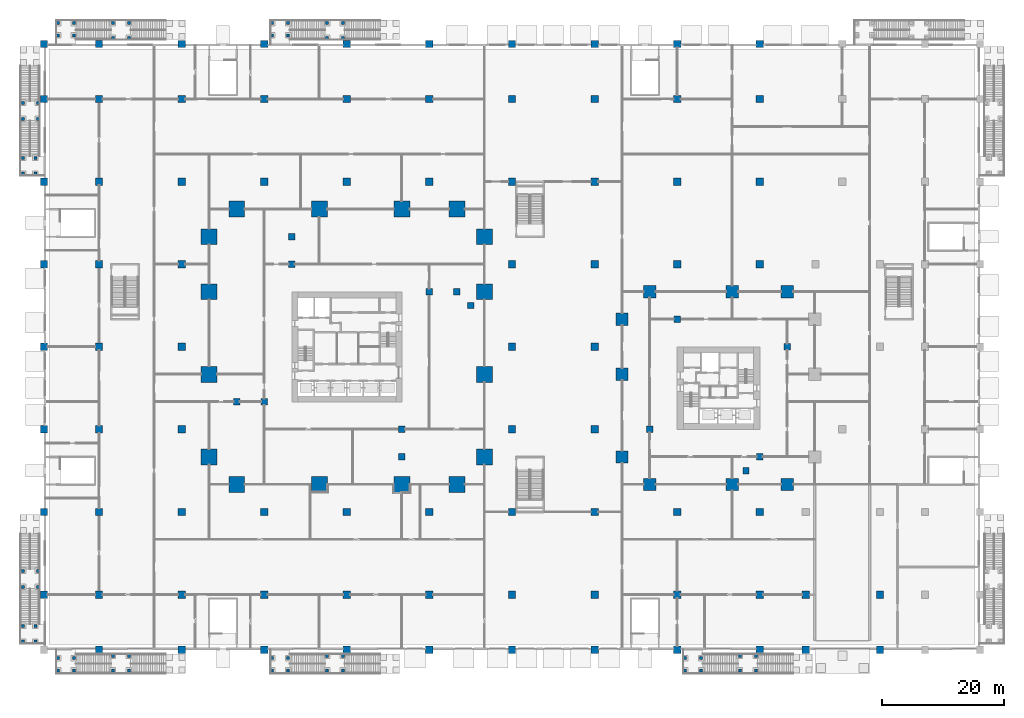
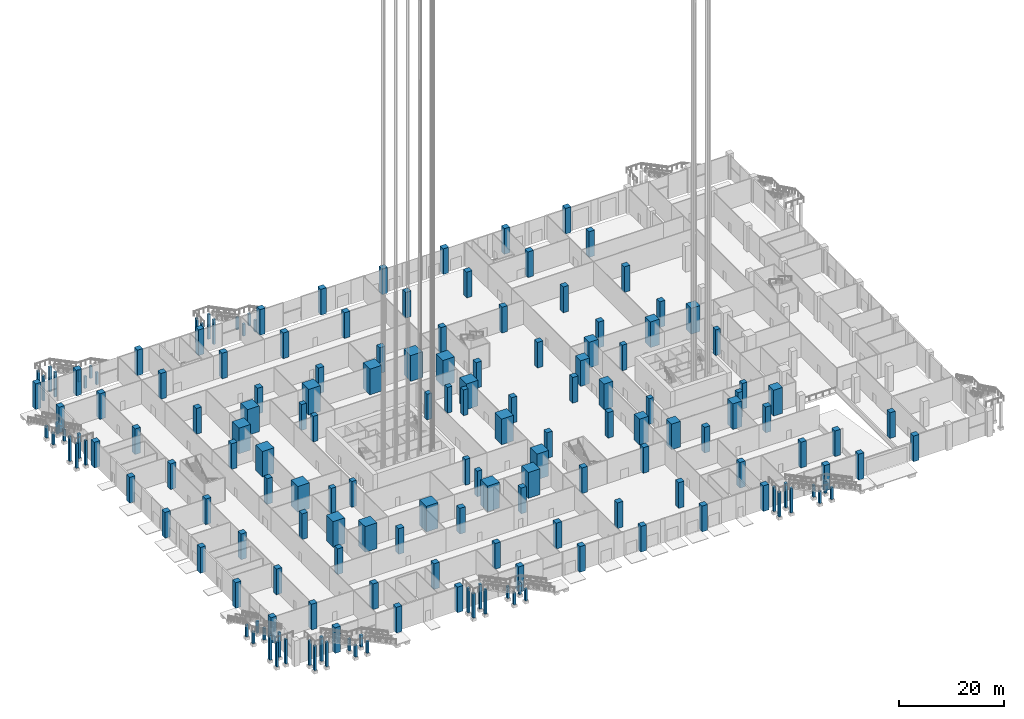
# One storey, part 3 of 68: 175 columns.
"""IFC4 building model written with IfcOpenShell, lengths in metres."""

from ifc_helpers import new_model, si_unit, direction, frame, origin, origin_2d, place, context, subcontext, project, spatial, rectangle, extrude, material, material_profile, profile_set, type_object, element, save


model = new_model("IFC4")

# Units and contexts
model_context = context("Model", 3, precision=1e-05, world=origin(), true_north=direction((0.0, 1.0)))
body_context = subcontext(model_context, "Body", "Model", "MODEL_VIEW")
ifc_project = project(units=[si_unit("LENGTHUNIT", "METRE"), si_unit("AREAUNIT", "SQUARE_METRE"), si_unit("VOLUMEUNIT", "CUBIC_METRE"), si_unit("PLANEANGLEUNIT", "RADIAN"), si_unit("MASSUNIT", "GRAM", prefix="KILO")], contexts=[model_context])

# Site, building, storey
site_placement = place(None, origin())
site = spatial("IfcSite", under=ifc_project, at=site_placement, CompositionType="ELEMENT")
building_placement = place(site_placement, origin())
building = spatial("IfcBuilding", under=site, at=building_placement, Name="Altepetl Exchange Towers", CompositionType="ELEMENT")
storey_placement = place(building_placement, origin())
storey = spatial("IfcBuildingStorey", under=building, at=storey_placement, Name="L00 Ground concourse", CompositionType="ELEMENT", Elevation=0.0)

# Columns
ifc_material_1 = material(Name="Concrete C35/45", Category="concrete")
ifc_material_profile_1 = material_profile(ifc_material_1, rectangle(XDim=0.5, YDim=0.5, at=origin_2d()), Name="500 x 500")
ifc_profile_set_1 = profile_set([ifc_material_profile_1], Name="Concrete C35/45")
column_type_1 = type_object("IfcColumnType", Name="Garden steps pier 500", PredefinedType="COLUMN", material=ifc_profile_set_1)
for number, where, name in (
    (1, (2.300048828125, -1.39990234375, 0.0), "col:P:L00:G1pier0"),
    (2, (2.300048828125, -3.39990234375, 0.0), "col:P:L00:G1pier1"),
    (3, (4.89990234375, -1.39990234375, 0.0), "col:P:L00:G1pier2"),
    (4, (4.89990234375, -3.39990234375, 0.0), "col:P:L00:G1pier3"),
):
    element("IfcColumn", number, at=place(storey_placement, frame(where)), inside=storey, type_object=column_type_1, Name=name, PredefinedType="COLUMN", context=body_context, shape_type="SweptSolid", body=[
        extrude(rectangle(XDim=0.5, YDim=0.5, at=origin_2d()), origin(), (0.0, 0.0, 1.0), 5.75),
    ])
for number, where, name in (
    (5, (11.260009765625, -1.0, 0.0), "col:P:L00:G1pier4"),
    (6, (11.260009765625, -3.39990234375, 0.0), "col:P:L00:G1pier5"),
    (7, (13.860107421875, -1.0, 0.0), "col:P:L00:G1pier6"),
    (8, (13.860107421875, -3.39990234375, 0.0), "col:P:L00:G1pier7"),
):
    element("IfcColumn", number, at=place(storey_placement, frame(where)), inside=storey, type_object=column_type_1, Name=name, PredefinedType="COLUMN", context=body_context, shape_type="SweptSolid", body=[
        extrude(rectangle(XDim=0.5, YDim=0.5, at=origin_2d()), origin(), (0.0, 0.0, 1.0), 2.75),
    ])
for number, where, name in (
    (9, (37.300048828125, -1.39990234375, 0.0), "col:P:L00:G2pier0"),
    (10, (37.300048828125, -3.39990234375, 0.0), "col:P:L00:G2pier1"),
    (11, (39.89990234375, -1.39990234375, 0.0), "col:P:L00:G2pier2"),
    (12, (39.89990234375, -3.39990234375, 0.0), "col:P:L00:G2pier3"),
):
    element("IfcColumn", number, at=place(storey_placement, frame(where)), inside=storey, type_object=column_type_1, Name=name, PredefinedType="COLUMN", context=body_context, shape_type="SweptSolid", body=[
        extrude(rectangle(XDim=0.5, YDim=0.5, at=origin_2d()), origin(), (0.0, 0.0, 1.0), 5.75),
    ])
for number, where, name in (
    (13, (46.260009765625, -1.0, 0.0), "col:P:L00:G2pier4"),
    (14, (46.260009765625, -3.39990234375, 0.0), "col:P:L00:G2pier5"),
    (15, (48.860107421875, -1.0, 0.0), "col:P:L00:G2pier6"),
    (16, (48.860107421875, -3.39990234375, 0.0), "col:P:L00:G2pier7"),
):
    element("IfcColumn", number, at=place(storey_placement, frame(where)), inside=storey, type_object=column_type_1, Name=name, PredefinedType="COLUMN", context=body_context, shape_type="SweptSolid", body=[
        extrude(rectangle(XDim=0.5, YDim=0.5, at=origin_2d()), origin(), (0.0, 0.0, 1.0), 2.75),
    ])
for number, where, name in (
    (17, (2.300048828125, 100.39990234375, 0.0), "col:P:L00:G3pier0"),
    (18, (2.300048828125, 102.39990234375, 0.0), "col:P:L00:G3pier1"),
    (19, (4.89990234375, 100.39990234375, 0.0), "col:P:L00:G3pier2"),
    (20, (4.89990234375, 102.39990234375, 0.0), "col:P:L00:G3pier3"),
):
    element("IfcColumn", number, at=place(storey_placement, frame(where)), inside=storey, type_object=column_type_1, Name=name, PredefinedType="COLUMN", context=body_context, shape_type="SweptSolid", body=[
        extrude(rectangle(XDim=0.5, YDim=0.5, at=origin_2d()), origin(), (0.0, 0.0, 1.0), 5.75),
    ])
for number, where, name in (
    (21, (11.260009765625, 100.0, 0.0), "col:P:L00:G3pier4"),
    (22, (11.260009765625, 102.39990234375, 0.0), "col:P:L00:G3pier5"),
    (23, (13.860107421875, 100.0, 0.0), "col:P:L00:G3pier6"),
    (24, (13.860107421875, 102.39990234375, 0.0), "col:P:L00:G3pier7"),
):
    element("IfcColumn", number, at=place(storey_placement, frame(where)), inside=storey, type_object=column_type_1, Name=name, PredefinedType="COLUMN", context=body_context, shape_type="SweptSolid", body=[
        extrude(rectangle(XDim=0.5, YDim=0.5, at=origin_2d()), origin(), (0.0, 0.0, 1.0), 2.75),
    ])
for number, where, name in (
    (25, (37.300048828125, 100.39990234375, 0.0), "col:P:L00:G4pier0"),
    (26, (37.300048828125, 102.39990234375, 0.0), "col:P:L00:G4pier1"),
    (27, (39.89990234375, 100.39990234375, 0.0), "col:P:L00:G4pier2"),
    (28, (39.89990234375, 102.39990234375, 0.0), "col:P:L00:G4pier3"),
):
    element("IfcColumn", number, at=place(storey_placement, frame(where)), inside=storey, type_object=column_type_1, Name=name, PredefinedType="COLUMN", context=body_context, shape_type="SweptSolid", body=[
        extrude(rectangle(XDim=0.5, YDim=0.5, at=origin_2d()), origin(), (0.0, 0.0, 1.0), 5.75),
    ])
for number, where, name in (
    (29, (46.260009765625, 100.0, 0.0), "col:P:L00:G4pier4"),
    (30, (46.260009765625, 102.39990234375, 0.0), "col:P:L00:G4pier5"),
    (31, (48.860107421875, 100.0, 0.0), "col:P:L00:G4pier6"),
    (32, (48.860107421875, 102.39990234375, 0.0), "col:P:L00:G4pier7"),
):
    element("IfcColumn", number, at=place(storey_placement, frame(where)), inside=storey, type_object=column_type_1, Name=name, PredefinedType="COLUMN", context=body_context, shape_type="SweptSolid", body=[
        extrude(rectangle(XDim=0.5, YDim=0.5, at=origin_2d()), origin(), (0.0, 0.0, 1.0), 2.75),
    ])
for number, where, name in (
    (33, (-1.39990234375, 77.800048828125, 0.0), "col:P:L00:G5pier0"),
    (34, (-3.39990234375, 77.800048828125, 0.0), "col:P:L00:G5pier1"),
    (35, (-1.39990234375, 80.39990234375, 0.0), "col:P:L00:G5pier2"),
    (36, (-3.39990234375, 80.39990234375, 0.0), "col:P:L00:G5pier3"),
):
    element("IfcColumn", number, at=place(storey_placement, frame(where)), inside=storey, type_object=column_type_1, Name=name, PredefinedType="COLUMN", context=body_context, shape_type="SweptSolid", body=[
        extrude(rectangle(XDim=0.5, YDim=0.5, at=origin_2d()), origin(), (0.0, 0.0, 1.0), 5.75),
    ])
for number, where, name in (
    (37, (-1.0, 86.760009765625, 0.0), "col:P:L00:G5pier4"),
    (38, (-3.39990234375, 86.760009765625, 0.0), "col:P:L00:G5pier5"),
    (39, (-1.0, 89.360107421875, 0.0), "col:P:L00:G5pier6"),
    (40, (-3.39990234375, 89.360107421875, 0.0), "col:P:L00:G5pier7"),
):
    element("IfcColumn", number, at=place(storey_placement, frame(where)), inside=storey, type_object=column_type_1, Name=name, PredefinedType="COLUMN", context=body_context, shape_type="SweptSolid", body=[
        extrude(rectangle(XDim=0.5, YDim=0.5, at=origin_2d()), origin(), (0.0, 0.0, 1.0), 2.75),
    ])
for number, where, name in (
    (41, (104.800048828125, -1.39990234375, 0.0), "col:P:L00:G7pier0"),
    (42, (104.800048828125, -3.39990234375, 0.0), "col:P:L00:G7pier1"),
    (43, (107.39990234375, -1.39990234375, 0.0), "col:P:L00:G7pier2"),
    (44, (107.39990234375, -3.39990234375, 0.0), "col:P:L00:G7pier3"),
):
    element("IfcColumn", number, at=place(storey_placement, frame(where)), inside=storey, type_object=column_type_1, Name=name, PredefinedType="COLUMN", context=body_context, shape_type="SweptSolid", body=[
        extrude(rectangle(XDim=0.5, YDim=0.5, at=origin_2d()), origin(), (0.0, 0.0, 1.0), 5.75),
    ])
for number, where, name in (
    (45, (113.760009765625, -1.0, 0.0), "col:P:L00:G7pier4"),
    (46, (113.760009765625, -3.39990234375, 0.0), "col:P:L00:G7pier5"),
    (47, (116.360107421875, -1.0, 0.0), "col:P:L00:G7pier6"),
    (48, (116.360107421875, -3.39990234375, 0.0), "col:P:L00:G7pier7"),
):
    element("IfcColumn", number, at=place(storey_placement, frame(where)), inside=storey, type_object=column_type_1, Name=name, PredefinedType="COLUMN", context=body_context, shape_type="SweptSolid", body=[
        extrude(rectangle(XDim=0.5, YDim=0.5, at=origin_2d()), origin(), (0.0, 0.0, 1.0), 2.75),
    ])
for number, where, name in (
    (49, (-1.39990234375, 1.300048828125, 0.0), "col:P:L00:G9pier0"),
    (50, (-3.39990234375, 1.300048828125, 0.0), "col:P:L00:G9pier1"),
    (51, (-1.39990234375, 3.89990234375, 0.0), "col:P:L00:G9pier2"),
    (52, (-3.39990234375, 3.89990234375, 0.0), "col:P:L00:G9pier3"),
):
    element("IfcColumn", number, at=place(storey_placement, frame(where)), inside=storey, type_object=column_type_1, Name=name, PredefinedType="COLUMN", context=body_context, shape_type="SweptSolid", body=[
        extrude(rectangle(XDim=0.5, YDim=0.5, at=origin_2d()), origin(), (0.0, 0.0, 1.0), 5.75),
    ])
for number, where, name in (
    (53, (-1.0, 10.260009765625, 0.0), "col:P:L00:G9pier4"),
    (54, (-3.39990234375, 10.260009765625, 0.0), "col:P:L00:G9pier5"),
    (55, (-1.0, 12.860107421875, 0.0), "col:P:L00:G9pier6"),
    (56, (-3.39990234375, 12.860107421875, 0.0), "col:P:L00:G9pier7"),
):
    element("IfcColumn", number, at=place(storey_placement, frame(where)), inside=storey, type_object=column_type_1, Name=name, PredefinedType="COLUMN", context=body_context, shape_type="SweptSolid", body=[
        extrude(rectangle(XDim=0.5, YDim=0.5, at=origin_2d()), origin(), (0.0, 0.0, 1.0), 2.75),
    ])
ifc_material_2 = material(Name="Concrete C70/85", Category="concrete")
ifc_material_profile_2 = material_profile(ifc_material_2, rectangle(XDim=1.050048828125, YDim=1.050048828125, at=origin_2d()), Name="1050 x 1050")
ifc_profile_set_2 = profile_set([ifc_material_profile_2], Name="Concrete C70/85")
column_type_2 = type_object("IfcColumnType", Name="Interior column 1050", PredefinedType="COLUMN", material=ifc_profile_set_2)
for number, where, name in (
    (57, (31.5, 40.5, 0.0), "col:A:L00:040"),
    (58, (36.0, 40.5, 0.0), "col:A:L00:041"),
    (59, (40.5, 63.0, 0.0), "col:A:L00:042"),
    (60, (40.5, 67.5, 0.0), "col:A:L00:043"),
    (61, (58.5, 31.5, 0.0), "col:A:L00:044"),
    (62, (58.5, 36.0, 0.0), "col:A:L00:045"),
    (63, (63.0, 58.5, 0.0), "col:A:L00:046"),
    (64, (67.5, 58.5, 0.0), "col:A:L00:047"),
    (65, (69.75, 56.25, 0.0), "col:A:L00:048"),
    (66, (99.0, 36.0, 0.0), "col:B:L00:028"),
    (67, (103.5, 54.0, 0.0), "col:B:L00:029"),
    (68, (114.75, 29.25, 0.0), "col:B:L00:030"),
    (69, (117.0, 31.5, 0.0), "col:B:L00:031"),
    (70, (121.5, 49.5, 0.0), "col:B:L00:032"),
):
    element("IfcColumn", number, at=place(storey_placement, frame(where)), inside=storey, type_object=column_type_2, Name=name, PredefinedType="COLUMN", context=body_context, shape_type="SweptSolid", body=[
        extrude(rectangle(XDim=1.050048828125, YDim=1.050048828125, at=origin_2d()), origin(), (0.0, 0.0, 1.0), 6.0),
    ])
ifc_material_3 = material(Name="Concrete C70/85 precast with cantera amarilla facing", Category="concrete")
ifc_material_profile_3 = material_profile(ifc_material_3, rectangle(XDim=2.0, YDim=2.0, at=origin_2d()), Name="2000 x 2000")
ifc_profile_set_3 = profile_set([ifc_material_profile_3], Name="Concrete C70/85 precast with cantera amarilla facing")
column_type_3 = type_object("IfcColumnType", Name="Mega-column 2000 cantera amarilla", PredefinedType="COLUMN", material=ifc_profile_set_3)
for number, where, name in (
    (71, (112.5, 58.5, 0.0), "col:B:L00:m06"),
    (72, (121.5, 58.5, 0.0), "col:B:L00:m08"),
):
    element("IfcColumn", number, at=place(storey_placement, frame(where)), inside=storey, type_object=column_type_3, Name=name, PredefinedType="COLUMN", context=body_context, shape_type="SweptSolid", body=[
        extrude(rectangle(XDim=2.0, YDim=2.0, at=origin_2d()), origin(), (0.0, 0.0, 1.0), 6.0),
    ])
ifc_material_4 = material(Name="Concrete C70/85 precast with cantera blanca facing", Category="concrete")
ifc_material_profile_4 = material_profile(ifc_material_4, rectangle(XDim=2.0, YDim=2.0, at=origin_2d()), Name="2000 x 2000")
ifc_profile_set_4 = profile_set([ifc_material_profile_4], Name="Concrete C70/85 precast with cantera blanca facing")
column_type_4 = type_object("IfcColumnType", Name="Mega-column 2000 cantera blanca", PredefinedType="COLUMN", material=ifc_profile_set_4)
column_placement = place(storey_placement, frame((121.5, 27.0, 0.0)))
element("IfcColumn", 73, at=column_placement, inside=storey, type_object=column_type_4, Name="col:B:L00:m07", PredefinedType="COLUMN", context=body_context, shape_type="SweptSolid", body=[
    extrude(rectangle(XDim=2.0, YDim=2.0, at=origin_2d()), origin(), (0.0, 0.0, 1.0), 6.0),
])
ifc_material_5 = material(Name="Concrete C70/85 precast with cantera rosa facing", Category="concrete")
ifc_material_profile_5 = material_profile(ifc_material_5, rectangle(XDim=2.0, YDim=2.0, at=origin_2d()), Name="2000 x 2000")
ifc_profile_set_5 = profile_set([ifc_material_profile_5], Name="Concrete C70/85 precast with cantera rosa facing")
column_type_5 = type_object("IfcColumnType", Name="Mega-column 2000 cantera rosa", PredefinedType="COLUMN", material=ifc_profile_set_5)
for number, where, name in (
    (74, (94.5, 45.0, 0.0), "col:B:L00:m01"),
    (75, (94.5, 54.0, 0.0), "col:B:L00:m02"),
    (76, (99.0, 58.5, 0.0), "col:B:L00:m04"),
):
    element("IfcColumn", number, at=place(storey_placement, frame(where)), inside=storey, type_object=column_type_5, Name=name, PredefinedType="COLUMN", context=body_context, shape_type="SweptSolid", body=[
        extrude(rectangle(XDim=2.0, YDim=2.0, at=origin_2d()), origin(), (0.0, 0.0, 1.0), 6.0),
    ])
ifc_material_6 = material(Name="Concrete C70/85 precast with tezontle facing", Category="concrete")
ifc_material_profile_6 = material_profile(ifc_material_6, rectangle(XDim=2.0, YDim=2.0, at=origin_2d()), Name="2000 x 2000")
ifc_profile_set_6 = profile_set([ifc_material_profile_6], Name="Concrete C70/85 precast with tezontle facing")
column_type_6 = type_object("IfcColumnType", Name="Mega-column 2000 tezontle", PredefinedType="COLUMN", material=ifc_profile_set_6)
for number, where, name in (
    (77, (94.5, 31.5, 0.0), "col:B:L00:m00"),
    (78, (99.0, 27.0, 0.0), "col:B:L00:m03"),
    (79, (112.5, 27.0, 0.0), "col:B:L00:m05"),
):
    element("IfcColumn", number, at=place(storey_placement, frame(where)), inside=storey, type_object=column_type_6, Name=name, PredefinedType="COLUMN", context=body_context, shape_type="SweptSolid", body=[
        extrude(rectangle(XDim=2.0, YDim=2.0, at=origin_2d()), origin(), (0.0, 0.0, 1.0), 6.0),
    ])
ifc_material_profile_7 = material_profile(ifc_material_3, rectangle(XDim=2.60009765625, YDim=2.60009765625, at=origin_2d()), Name="2600 x 2600")
ifc_profile_set_7 = profile_set([ifc_material_profile_7], Name="Concrete C70/85 precast with cantera amarilla facing")
column_type_7 = type_object("IfcColumnType", Name="Mega-column 2600 cantera amarilla", PredefinedType="COLUMN", material=ifc_profile_set_7)
for number, where, name in (
    (80, (58.5, 27.0, 0.0), "col:A:L00:m08"),
    (81, (67.5, 27.0, 0.0), "col:A:L00:m10"),
    (82, (72.0, 31.5, 0.0), "col:A:L00:m12"),
    (83, (72.0, 45.0, 0.0), "col:A:L00:m13"),
):
    element("IfcColumn", number, at=place(storey_placement, frame(where)), inside=storey, type_object=column_type_7, Name=name, PredefinedType="COLUMN", context=body_context, shape_type="SweptSolid", body=[
        extrude(rectangle(XDim=2.60009765625, YDim=2.60009765625, at=origin_2d()), origin(), (0.0, 0.0, 1.0), 6.0),
    ])
ifc_material_profile_8 = material_profile(ifc_material_4, rectangle(XDim=2.60009765625, YDim=2.60009765625, at=origin_2d()), Name="2600 x 2600")
ifc_profile_set_8 = profile_set([ifc_material_profile_8], Name="Concrete C70/85 precast with cantera blanca facing")
column_type_8 = type_object("IfcColumnType", Name="Mega-column 2600 cantera blanca", PredefinedType="COLUMN", material=ifc_profile_set_8)
for number, where, name in (
    (84, (27.0, 31.5, 0.0), "col:A:L00:m00"),
    (85, (31.5, 27.0, 0.0), "col:A:L00:m04"),
    (86, (45.0, 27.0, 0.0), "col:A:L00:m06"),
):
    element("IfcColumn", number, at=place(storey_placement, frame(where)), inside=storey, type_object=column_type_8, Name=name, PredefinedType="COLUMN", context=body_context, shape_type="SweptSolid", body=[
        extrude(rectangle(XDim=2.60009765625, YDim=2.60009765625, at=origin_2d()), origin(), (0.0, 0.0, 1.0), 6.0),
    ])
ifc_material_profile_9 = material_profile(ifc_material_5, rectangle(XDim=2.60009765625, YDim=2.60009765625, at=origin_2d()), Name="2600 x 2600")
ifc_profile_set_9 = profile_set([ifc_material_profile_9], Name="Concrete C70/85 precast with cantera rosa facing")
column_type_9 = type_object("IfcColumnType", Name="Mega-column 2600 cantera rosa", PredefinedType="COLUMN", material=ifc_profile_set_9)
for number, where, name in (
    (87, (45.0, 72.0, 0.0), "col:A:L00:m07"),
    (88, (58.5, 72.0, 0.0), "col:A:L00:m09"),
    (89, (67.5, 72.0, 0.0), "col:A:L00:m11"),
    (90, (72.0, 58.5, 0.0), "col:A:L00:m14"),
    (91, (72.0, 67.5, 0.0), "col:A:L00:m15"),
):
    element("IfcColumn", number, at=place(storey_placement, frame(where)), inside=storey, type_object=column_type_9, Name=name, PredefinedType="COLUMN", context=body_context, shape_type="SweptSolid", body=[
        extrude(rectangle(XDim=2.60009765625, YDim=2.60009765625, at=origin_2d()), origin(), (0.0, 0.0, 1.0), 6.0),
    ])
ifc_material_profile_10 = material_profile(ifc_material_6, rectangle(XDim=2.60009765625, YDim=2.60009765625, at=origin_2d()), Name="2600 x 2600")
ifc_profile_set_10 = profile_set([ifc_material_profile_10], Name="Concrete C70/85 precast with tezontle facing")
column_type_10 = type_object("IfcColumnType", Name="Mega-column 2600 tezontle", PredefinedType="COLUMN", material=ifc_profile_set_10)
for number, where, name in (
    (92, (27.0, 45.0, 0.0), "col:A:L00:m01"),
    (93, (27.0, 58.5, 0.0), "col:A:L00:m02"),
    (94, (27.0, 67.5, 0.0), "col:A:L00:m03"),
    (95, (31.5, 72.0, 0.0), "col:A:L00:m05"),
):
    element("IfcColumn", number, at=place(storey_placement, frame(where)), inside=storey, type_object=column_type_10, Name=name, PredefinedType="COLUMN", context=body_context, shape_type="SweptSolid", body=[
        extrude(rectangle(XDim=2.60009765625, YDim=2.60009765625, at=origin_2d()), origin(), (0.0, 0.0, 1.0), 6.0),
    ])
ifc_material_profile_11 = material_profile(ifc_material_2, rectangle(XDim=1.199951171875, YDim=1.199951171875, at=origin_2d()), Name="1200 x 1200")
ifc_profile_set_11 = profile_set([ifc_material_profile_11], Name="Concrete C70/85")
column_type_11 = type_object("IfcColumnType", Name="Podium column 1200", PredefinedType="COLUMN", material=ifc_profile_set_11)
for number, where, name in (
    (96, (0.0, 9.0, 0.0), "col:P:L00:001"),
    (97, (0.0, 22.5, 0.0), "col:P:L00:002"),
    (98, (0.0, 36.0, 0.0), "col:P:L00:003"),
    (99, (0.0, 49.5, 0.0), "col:P:L00:004"),
    (100, (0.0, 63.0, 0.0), "col:P:L00:005"),
    (101, (0.0, 76.5, 0.0), "col:P:L00:006"),
    (102, (0.0, 90.0, 0.0), "col:P:L00:007"),
    (103, (0.0, 99.0, 0.0), "col:P:L00:008"),
    (104, (9.0, 0.0, 0.0), "col:P:L00:009"),
    (105, (9.0, 9.0, 0.0), "col:P:L00:010"),
    (106, (9.0, 22.5, 0.0), "col:P:L00:011"),
    (107, (9.0, 36.0, 0.0), "col:P:L00:012"),
    (108, (9.0, 49.5, 0.0), "col:P:L00:013"),
    (109, (9.0, 63.0, 0.0), "col:P:L00:014"),
    (110, (9.0, 76.5, 0.0), "col:P:L00:015"),
    (111, (9.0, 90.0, 0.0), "col:P:L00:016"),
    (112, (9.0, 99.0, 0.0), "col:P:L00:017"),
    (113, (22.5, 0.0, 0.0), "col:P:L00:018"),
    (114, (22.5, 9.0, 0.0), "col:P:L00:019"),
    (115, (22.5, 22.5, 0.0), "col:P:L00:020"),
    (116, (22.5, 36.0, 0.0), "col:P:L00:021"),
    (117, (22.5, 49.5, 0.0), "col:P:L00:022"),
    (118, (22.5, 63.0, 0.0), "col:P:L00:023"),
    (119, (22.5, 76.5, 0.0), "col:P:L00:024"),
    (120, (22.5, 90.0, 0.0), "col:P:L00:025"),
    (121, (22.5, 99.0, 0.0), "col:P:L00:026"),
    (122, (36.0, 0.0, 0.0), "col:P:L00:027"),
    (123, (36.0, 9.0, 0.0), "col:P:L00:028"),
    (124, (36.0, 22.5, 0.0), "col:P:L00:029"),
    (125, (36.0, 76.5, 0.0), "col:P:L00:030"),
    (126, (36.0, 90.0, 0.0), "col:P:L00:031"),
    (127, (36.0, 99.0, 0.0), "col:P:L00:032"),
    (128, (49.5, 0.0, 0.0), "col:P:L00:033"),
    (129, (49.5, 9.0, 0.0), "col:P:L00:034"),
    (130, (49.5, 22.5, 0.0), "col:P:L00:035"),
    (131, (49.5, 76.5, 0.0), "col:P:L00:036"),
    (132, (49.5, 90.0, 0.0), "col:P:L00:037"),
    (133, (49.5, 99.0, 0.0), "col:P:L00:038"),
    (134, (63.0, 0.0, 0.0), "col:P:L00:039"),
    (135, (63.0, 9.0, 0.0), "col:P:L00:040"),
    (136, (63.0, 22.5, 0.0), "col:P:L00:041"),
    (137, (63.0, 76.5, 0.0), "col:P:L00:042"),
    (138, (63.0, 90.0, 0.0), "col:P:L00:043"),
    (139, (63.0, 99.0, 0.0), "col:P:L00:044"),
    (140, (76.5, 0.0, 0.0), "col:P:L00:045"),
    (141, (76.5, 9.0, 0.0), "col:P:L00:046"),
    (142, (76.5, 22.5, 0.0), "col:P:L00:047"),
    (143, (76.5, 36.0, 0.0), "col:P:L00:048"),
    (144, (76.5, 49.5, 0.0), "col:P:L00:049"),
    (145, (76.5, 63.0, 0.0), "col:P:L00:050"),
    (146, (76.5, 76.5, 0.0), "col:P:L00:051"),
    (147, (76.5, 90.0, 0.0), "col:P:L00:052"),
    (148, (76.5, 99.0, 0.0), "col:P:L00:053"),
    (149, (90.0, 0.0, 0.0), "col:P:L00:054"),
    (150, (90.0, 9.0, 0.0), "col:P:L00:055"),
    (151, (90.0, 22.5, 0.0), "col:P:L00:056"),
    (152, (90.0, 36.0, 0.0), "col:P:L00:057"),
    (153, (90.0, 49.5, 0.0), "col:P:L00:058"),
    (154, (90.0, 63.0, 0.0), "col:P:L00:059"),
    (155, (90.0, 76.5, 0.0), "col:P:L00:060"),
    (156, (90.0, 90.0, 0.0), "col:P:L00:061"),
    (157, (90.0, 99.0, 0.0), "col:P:L00:062"),
    (158, (103.5, 0.0, 0.0), "col:P:L00:063"),
    (159, (103.5, 9.0, 0.0), "col:P:L00:064"),
    (160, (103.5, 22.5, 0.0), "col:P:L00:065"),
    (161, (103.5, 63.0, 0.0), "col:P:L00:066"),
    (162, (103.5, 76.5, 0.0), "col:P:L00:067"),
    (163, (103.5, 90.0, 0.0), "col:P:L00:068"),
    (164, (103.5, 99.0, 0.0), "col:P:L00:069"),
    (165, (117.0, 0.0, 0.0), "col:P:L00:070"),
    (166, (117.0, 9.0, 0.0), "col:P:L00:071"),
    (167, (117.0, 22.5, 0.0), "col:P:L00:072"),
    (168, (117.0, 63.0, 0.0), "col:P:L00:073"),
    (169, (117.0, 76.5, 0.0), "col:P:L00:074"),
    (170, (117.0, 90.0, 0.0), "col:P:L00:075"),
    (171, (117.0, 99.0, 0.0), "col:P:L00:076"),
    (172, (124.5, 0.0, 0.0), "col:P:L00:077"),
    (173, (124.5, 9.0, 0.0), "col:P:L00:078"),
    (174, (136.64990234375, 0.0, 0.0), "col:P:L00:085"),
    (175, (136.64990234375, 9.0, 0.0), "col:P:L00:086"),
):
    element("IfcColumn", number, at=place(storey_placement, frame(where)), inside=storey, type_object=column_type_11, Name=name, PredefinedType="COLUMN", context=body_context, shape_type="SweptSolid", body=[
        extrude(rectangle(XDim=1.199951171875, YDim=1.199951171875, at=origin_2d()), origin(), (0.0, 0.0, 1.0), 6.0),
    ])

save(model, "model.ifc")
